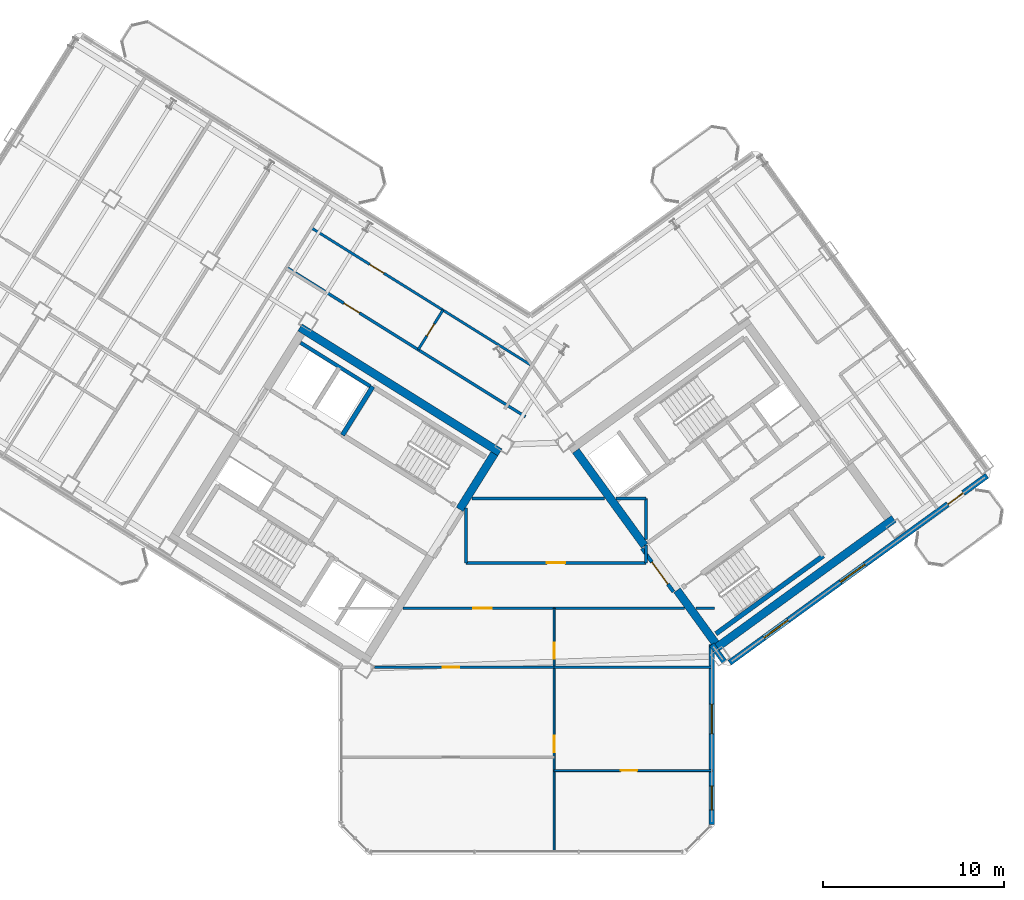
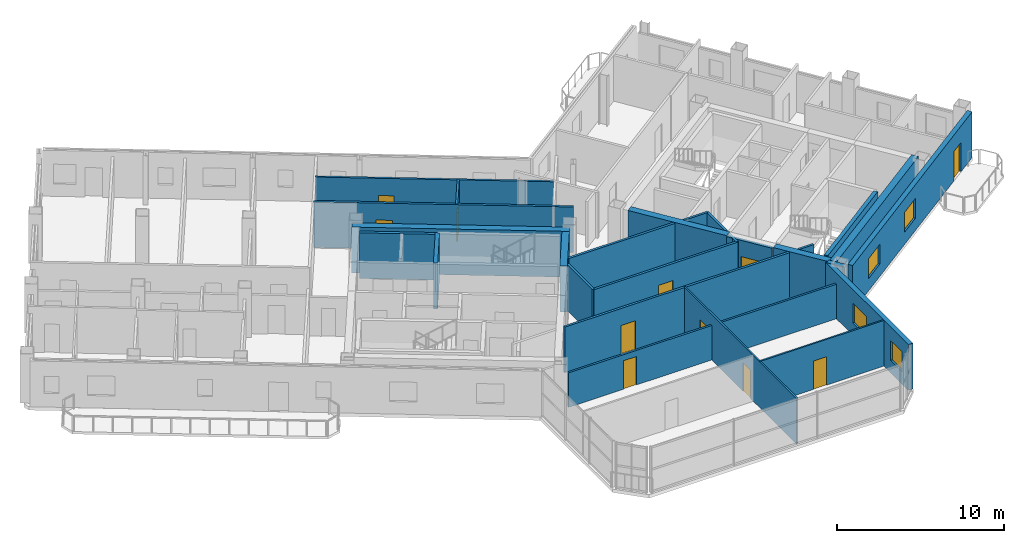
# One storey, part 13 of 21: 27 walls, 11 doors, 4 windows, 15 openings.
"""IFC4 building model written with IfcOpenShell, lengths in metres."""

from ifc_helpers import new_model, si_unit, direction, frame, frame_2d, origin, place, context, subcontext, project, spatial, rectangle, extrude, source, transform, mapped, material, layer, layer_set, type_object, element, fill, save


model = new_model("IFC4")

# Units and contexts
model_context = context("Model", 3, precision=1e-05, world=origin(), true_north=direction((0.0, 1.0)))
body_context = subcontext(model_context, "Body", "Model", "MODEL_VIEW")
ifc_project = project(units=[si_unit("LENGTHUNIT", "METRE"), si_unit("AREAUNIT", "SQUARE_METRE"), si_unit("VOLUMEUNIT", "CUBIC_METRE"), si_unit("PLANEANGLEUNIT", "RADIAN"), si_unit("MASSUNIT", "GRAM", prefix="KILO")], contexts=[model_context])

# Site, building, storey
site_placement = place(None, origin())
site = spatial("IfcSite", under=ifc_project, at=site_placement, CompositionType="ELEMENT")
building_placement = place(site_placement, origin())
building = spatial("IfcBuilding", under=site, at=building_placement, Name="Tlacorven Tower", CompositionType="ELEMENT")
storey_placement = place(building_placement, frame((0.0, 0.0, 207.60009765625)))
storey = spatial("IfcBuildingStorey", under=building, at=storey_placement, Name="L52", CompositionType="ELEMENT", Elevation=207.60009765625)

# Walls
ifc_material_1 = material(Name="Concrete C50/60", Category="concrete")
ifc_layer_1 = layer(ifc_material_1, 0.449951171875)
ifc_layer_set_1 = layer_set([ifc_layer_1], Name="Concrete C50/60")
wall_type_1 = type_object("IfcWallType", Name="WL-COR-450", PredefinedType="SHEAR", material=ifc_layer_set_1)
wall_1_placement = place(storey_placement, frame((40.53076171875, 24.036376953125, 0.0), z_axis=(0.0, 0.0, 1.0), x_axis=(-0.848048787466, 0.529918157905, 0.0)))
element("IfcWall", 1, at=wall_1_placement, inside=storey, type_object=wall_type_1, Name="L52 W core shear wall S1", PredefinedType="SHEAR", context=body_context, shape_type="SweptSolid", body=[
    extrude(rectangle(XDim=13.0400390625, YDim=0.449951171875, at=frame_2d((6.52001953125, 0.0))), origin(), (0.0, 0.0, 1.0), 3.349853515625),
])
wall_2_placement = place(storey_placement, frame((40.220703125, 23.96484375, 0.0), z_axis=(0.0, 0.0, 1.0), x_axis=(-0.529902075036, -0.848058836916, 0.0)))
element("IfcWall", 2, at=wall_2_placement, inside=storey, type_object=wall_type_1, Name="L52 W core end wall E1.1", PredefinedType="SHEAR", context=body_context, shape_type="SweptSolid", body=[
    extrude(rectangle(XDim=3.625, YDim=0.449951171875, at=frame_2d((1.8125, 0.0))), origin(), (0.0, 0.0, 1.0), 3.349853515625),
])
wall_3_placement = place(storey_placement, frame((52.3994140625, 13.169189453125, 0.0), z_axis=(0.0, 0.0, 1.0), x_axis=(0.809022352778, 0.587777877013, 0.0)))
element("IfcWall", 3, at=wall_3_placement, inside=storey, type_object=wall_type_1, Name="L52 E core shear wall S1", PredefinedType="SHEAR", context=body_context, shape_type="SweptSolid", body=[
    extrude(rectangle(XDim=12.239990234375, YDim=0.449951171875, at=frame_2d((6.1201171875, 0.0))), origin(), (0.0, 0.0, 1.0), 3.349853515625),
])
wall_4_placement = place(storey_placement, frame((52.44921875, 13.4833984375, 0.0), z_axis=(0.0, 0.0, 1.0), x_axis=(-0.587819244441, 0.808992296542, 0.0)))
element("IfcWall", 4, at=wall_4_placement, inside=storey, type_object=wall_type_1, Name="L52 E core end wall E1.1", PredefinedType="SHEAR", context=body_context, shape_type="SweptSolid", body=[
    extrude(rectangle(XDim=3.625, YDim=0.449951171875, at=frame_2d((1.8125, 0.0))), origin(), (0.0, 0.0, 1.0), 3.349853515625),
])
wall_5_placement = place(storey_placement, frame((48.525634765625, 18.883544921875, 0.0), z_axis=(0.0, 0.0, 1.0), x_axis=(-0.587774812919, 0.809024578921, 0.0)))
element("IfcWall", 5, at=wall_5_placement, inside=storey, type_object=wall_type_1, Name="L52 E core end wall E1.2", PredefinedType="SHEAR", context=body_context, shape_type="SweptSolid", body=[
    extrude(rectangle(XDim=6.47509765625, YDim=0.449951171875, at=frame_2d((3.237548828125, 0.0))), origin(), (0.0, 0.0, 1.0), 3.349853515625),
])

# Wall, opening, door
ifc_material_2 = material(Name="Gypsum plasterboard acoustic partition", Category="gypsum")
ifc_layer_2 = layer(ifc_material_2, 0.159912109375)
ifc_layer_set_2 = layer_set([ifc_layer_2], Name="Gypsum plasterboard acoustic partition")
wall_type_2 = type_object("IfcWallType", Name="WL-DEM-160", PredefinedType="PARTITIONING", material=ifc_layer_set_2)
wall_6_placement = place(storey_placement, frame((41.93603515625, 26.011962890625, 0.0), z_axis=(0.0, 0.0, 1.0), x_axis=(-0.848051154596, 0.529914369676, 0.0)))
wall_6 = element("IfcWall", 6, at=wall_6_placement, inside=storey, type_object=wall_type_2, Name="L52 partition 58", PredefinedType="PARTITIONING", context=body_context, shape_type="SweptSolid", body=[
    extrude(rectangle(XDim=15.56982421875, YDim=0.159912109375, at=frame_2d((7.784912109375, 0.0))), origin(), (0.0, 0.0, 1.0), 3.33984375),
])
opening_1_placement = place(wall_6_placement, frame((10.830078125, 0.0, 0.0)))
opening_1 = element("IfcOpeningElement", 7, at=opening_1_placement, cuts=wall_6, Name="Opening D11", PredefinedType="OPENING", context=body_context, shape_type="SweptSolid", body=[
    extrude(rectangle(XDim=1.0, YDim=2.10009765625, at=frame_2d((0.5, 1.050048828125))), frame((0.0, 0.08984375, 0.0), z_axis=(0.0, -1.0, 0.0), x_axis=(1.0, 0.0, 0.0)), (0.0, 0.0, 1.0), 0.179931640625),
])
ifc_material_3 = material(Name="Fire-rated steel door assembly", Category="steel")
door_type_1 = type_object("IfcDoorType", Name="DR-FLT-FD60-1000", OperationType="NOTDEFINED", PredefinedType="DOOR", material=ifc_material_3)
shared_shape_1 = source(origin(), body_context, "Body", "SweptSolid", [
    extrude(rectangle(XDim=1.0, YDim=2.10009765625, at=frame_2d((0.5, 1.050048828125))), frame((0.0, 0.02490234375, 0.0), z_axis=(0.0, -1.0, 0.0), x_axis=(1.0, 0.0, 0.0)), (0.0, 0.0, 1.0), 0.050048828125),
])
door_1_placement = place(opening_1_placement, origin())
door_1 = element("IfcDoor", 8, at=door_1_placement, inside=storey, type_object=door_type_1, Name="L52 door 038", OperationType="SINGLE_SWING_LEFT", OverallHeight=2.10009765625, OverallWidth=1.0, PredefinedType="DOOR", context=body_context, shape_type="MappedRepresentation", body=[
    mapped(shared_shape_1, transform((0.0, 0.0, 0.0), scale=1.0)),
])
fill(opening_1, door_1)

wall_7_placement = place(storey_placement, frame((35.178466796875, 15.419921875, 0.0), z_axis=(0.0, 0.0, 1.0), x_axis=(1.0, 0.0, 0.0)))
wall_7 = element("IfcWall", 9, at=wall_7_placement, inside=storey, type_object=wall_type_2, Name="L52 Knuckle Corridor South Wall", PredefinedType="PARTITIONING", context=body_context, shape_type="SweptSolid", body=[
    extrude(rectangle(XDim=15.55224609375, YDim=0.159912109375, at=frame_2d((7.776123046875, 0.0))), origin(), (0.0, 0.0, 1.0), 3.33984375),
])
opening_2_placement = place(wall_7_placement, frame((3.884521484375, 0.0, 0.0)))
opening_2 = element("IfcOpeningElement", 10, at=opening_2_placement, cuts=wall_7, Name="Opening D11", PredefinedType="OPENING", context=body_context, shape_type="SweptSolid", body=[
    extrude(rectangle(XDim=1.0, YDim=2.10009765625, at=frame_2d((0.5, 1.050048828125))), frame((0.0, 0.08984375, 0.0), z_axis=(0.0, -1.0, 0.0), x_axis=(1.0, 0.0, 0.0)), (0.0, 0.0, 1.0), 0.179931640625),
])
door_2_placement = place(opening_2_placement, frame((1.0, 0.0, 0.0), z_axis=(0.0, 0.0, 1.0), x_axis=(-1.0, 0.0, 0.0)))
door_2 = element("IfcDoor", 11, at=door_2_placement, inside=storey, type_object=door_type_1, Name="L52 door 047", OperationType="SINGLE_SWING_RIGHT", OverallHeight=2.10009765625, OverallWidth=1.0, PredefinedType="DOOR", context=body_context, shape_type="MappedRepresentation", body=[
    mapped(shared_shape_1, transform((0.0, 0.0, 0.0), scale=1.0)),
])
fill(opening_2, door_2)

# Wall
wall_8_placement = place(storey_placement, frame((51.353515625, 15.419921875, 0.0), z_axis=(0.0, 0.0, 1.0), x_axis=(1.0, 0.0, 0.0)))
element("IfcWall", 12, at=wall_8_placement, inside=storey, type_object=wall_type_2, Name="L52 Knuckle Corridor South Wall", PredefinedType="PARTITIONING", context=body_context, shape_type="SweptSolid", body=[
    extrude(rectangle(XDim=1.04638671875, YDim=0.159912109375, at=frame_2d((0.523193359375, 0.0))), origin(), (0.0, 0.0, 1.0), 3.33984375),
])

# Wall, opening, door
wall_9_placement = place(storey_placement, frame((38.64990234375, 17.929931640625, 0.0), z_axis=(0.0, 0.0, 1.0), x_axis=(1.0, 0.0, 0.0)))
wall_9 = element("IfcWall", 13, at=wall_9_placement, inside=storey, type_object=wall_type_2, Name="L52 partition 64", PredefinedType="PARTITIONING", context=body_context, shape_type="SweptSolid", body=[
    extrude(rectangle(XDim=9.9501953125, YDim=0.159912109375, at=frame_2d((4.97509765625, 0.0))), origin(), (0.0, 0.0, 1.0), 3.33984375),
])
opening_3_placement = place(wall_9_placement, frame((4.47509765625, 0.0, 0.0)))
opening_3 = element("IfcOpeningElement", 14, at=opening_3_placement, cuts=wall_9, Name="Opening D11", PredefinedType="OPENING", context=body_context, shape_type="SweptSolid", body=[
    extrude(rectangle(XDim=1.0, YDim=2.10009765625, at=frame_2d((0.5, 1.050048828125))), frame((0.0, 0.08984375, 0.0), z_axis=(0.0, -1.0, 0.0), x_axis=(1.0, 0.0, 0.0)), (0.0, 0.0, 1.0), 0.179931640625),
])
door_3_placement = place(opening_3_placement, origin())
door_3 = element("IfcDoor", 15, at=door_3_placement, inside=storey, type_object=door_type_1, Name="L52 door 041", OperationType="SINGLE_SWING_RIGHT", OverallHeight=2.10009765625, OverallWidth=1.0, PredefinedType="DOOR", context=body_context, shape_type="MappedRepresentation", body=[
    mapped(shared_shape_1, transform((0.0, 0.0, 0.0), scale=1.0)),
])
fill(opening_3, door_3)

# Walls
wall_10_placement = place(storey_placement, frame((38.64990234375, 17.929931640625, 0.0), z_axis=(0.0, 0.0, 1.0), x_axis=(0.0, 1.0, 0.0)))
element("IfcWall", 16, at=wall_10_placement, inside=storey, type_object=wall_type_2, Name="L52 partition 65", PredefinedType="PARTITIONING", context=body_context, shape_type="SweptSolid", body=[
    extrude(rectangle(XDim=3.045654296875, YDim=0.159912109375, at=frame_2d((1.52294921875, 0.0))), origin(), (0.0, 0.0, 1.0), 3.33984375),
])
wall_11_placement = place(storey_placement, frame((48.60009765625, 17.929931640625, 0.0), z_axis=(0.0, 0.0, 1.0), x_axis=(0.0, 1.0, 0.0)))
element("IfcWall", 17, at=wall_11_placement, inside=storey, type_object=wall_type_2, Name="L52 partition 66", PredefinedType="PARTITIONING", context=body_context, shape_type="SweptSolid", body=[
    extrude(rectangle(XDim=0.99267578125, YDim=0.159912109375, at=frame_2d((0.496337890625, 0.0))), origin(), (0.0, 0.0, 1.0), 3.33984375),
])
wall_12_placement = place(storey_placement, frame((48.60009765625, 19.2099609375, 0.0), z_axis=(0.0, 0.0, 1.0), x_axis=(0.0, 1.0, 0.0)))
element("IfcWall", 18, at=wall_12_placement, inside=storey, type_object=wall_type_2, Name="L52 partition 66", PredefinedType="PARTITIONING", context=body_context, shape_type="SweptSolid", body=[
    extrude(rectangle(XDim=2.2900390625, YDim=0.159912109375, at=frame_2d((1.14501953125, 0.0))), origin(), (0.0, 0.0, 1.0), 3.33984375),
])
wall_13_placement = place(storey_placement, frame((38.9775390625, 21.5, 0.0), z_axis=(0.0, 0.0, 1.0), x_axis=(1.0, 0.0, 0.0)))
element("IfcWall", 19, at=wall_13_placement, inside=storey, type_object=wall_type_2, Name="L52 partition 67", PredefinedType="PARTITIONING", context=body_context, shape_type="SweptSolid", body=[
    extrude(rectangle(XDim=7.335693359375, YDim=0.159912109375, at=frame_2d((3.66796875, 0.0))), origin(), (0.0, 0.0, 1.0), 3.33984375),
])
wall_14_placement = place(storey_placement, frame((46.936279296875, 21.5, 0.0), z_axis=(0.0, 0.0, 1.0), x_axis=(1.0, 0.0, 0.0)))
element("IfcWall", 20, at=wall_14_placement, inside=storey, type_object=wall_type_2, Name="L52 partition 67", PredefinedType="PARTITIONING", context=body_context, shape_type="SweptSolid", body=[
    extrude(rectangle(XDim=1.663818359375, YDim=0.159912109375, at=frame_2d((0.83203125, 0.0))), origin(), (0.0, 0.0, 1.0), 3.33984375),
])

# Wall, openings, door, windows
ifc_material_4 = material(Name="Precast concrete C45/55", Category="concrete")
ifc_layer_3 = layer(ifc_material_4, 0.320068359375)
ifc_layer_set_3 = layer_set([ifc_layer_3], Name="Precast concrete C45/55")
wall_type_3 = type_object("IfcWallType", Name="WL-EXT-320", PredefinedType="STANDARD", material=ifc_layer_set_3)
wall_15_placement = place(storey_placement, frame((67.45361328125, 22.746826171875, 0.0), z_axis=(0.0, 0.0, 1.0), x_axis=(-0.809021120468, -0.587779573171, 0.0)))
wall_15 = element("IfcWall", 21, at=wall_15_placement, inside=storey, type_object=wall_type_3, Name="L52 Masonry-Frame Recessed Facade Wall 6", PredefinedType="STANDARD", context=body_context, shape_type="SweptSolid", body=[
    extrude(rectangle(XDim=17.587646484375, YDim=0.320068359375, at=frame_2d((8.7939453125, 0.0))), origin(), (0.0, 0.0, 1.0), 3.349853515625),
])
opening_4_placement = place(wall_15_placement, frame((1.623779296875, 0.0, 0.0)))
opening_4 = element("IfcOpeningElement", 22, at=opening_4_placement, cuts=wall_15, Name="Opening D06", PredefinedType="OPENING", context=body_context, shape_type="SweptSolid", body=[
    extrude(rectangle(XDim=1.050048828125, YDim=2.14990234375, at=frame_2d((0.52490234375, 1.074951171875))), frame((0.0, 0.169921875, 0.0), z_axis=(0.0, -1.0, 0.0), x_axis=(1.0, 0.0, 0.0)), (0.0, 0.0, 1.0), 0.340087890625),
])
opening_5_placement = place(wall_15_placement, frame((8.34375, 0.0, 0.89990234375)))
opening_5 = element("IfcOpeningElement", 23, at=opening_5_placement, cuts=wall_15, Name="Opening WN07", PredefinedType="OPENING", context=body_context, shape_type="SweptSolid", body=[
    extrude(rectangle(XDim=1.64990234375, YDim=1.449951171875, at=frame_2d((0.824951171875, 0.72509765625))), frame((0.0, 0.169921875, 0.0), z_axis=(0.0, -1.0, 0.0), x_axis=(1.0, 0.0, 0.0)), (0.0, 0.0, 1.0), 0.340087890625),
])
opening_6_placement = place(wall_15_placement, frame((13.59375, 0.0, 0.89990234375)))
opening_6 = element("IfcOpeningElement", 24, at=opening_6_placement, cuts=wall_15, Name="Opening WN07", PredefinedType="OPENING", context=body_context, shape_type="SweptSolid", body=[
    extrude(rectangle(XDim=1.64990234375, YDim=1.449951171875, at=frame_2d((0.824951171875, 0.72509765625))), frame((0.0, 0.169921875, 0.0), z_axis=(0.0, -1.0, 0.0), x_axis=(1.0, 0.0, 0.0)), (0.0, 0.0, 1.0), 0.340087890625),
])
ifc_material_5 = material(Name="Powder-coated aluminium and timber door", Category="wood")
door_type_2 = type_object("IfcDoorType", Name="DR-EXT-BALC-1050", OperationType="NOTDEFINED", PredefinedType="DOOR", material=ifc_material_5)
shared_shape_2 = source(origin(), body_context, "Body", "SweptSolid", [
    extrude(rectangle(XDim=1.050048828125, YDim=2.14990234375, at=frame_2d((0.52490234375, 1.074951171875))), frame((0.0, 0.02490234375, 0.0), z_axis=(0.0, -1.0, 0.0), x_axis=(1.0, 0.0, 0.0)), (0.0, 0.0, 1.0), 0.050048828125),
])
door_4_placement = place(opening_4_placement, origin())
door_4 = element("IfcDoor", 25, at=door_4_placement, inside=storey, type_object=door_type_2, Name="L52 Outdoor Access Door BAL-L52-E-OUT", OperationType="SINGLE_SWING_LEFT", OverallHeight=2.14990234375, OverallWidth=1.050048828125, PredefinedType="DOOR", context=body_context, shape_type="MappedRepresentation", body=[
    mapped(shared_shape_2, transform((0.0, 0.0, 0.0), scale=1.0)),
])
fill(opening_4, door_4)
ifc_material_6 = material(Name="Dark solar low-E double glazing in anodised aluminium frame", Category="aluminium")
window_type_1 = type_object("IfcWindowType", Name="WN-APT-1650X1600", PartitioningType="SINGLE_PANEL", PredefinedType="WINDOW", material=ifc_material_6)
shared_shape_3 = source(origin(), body_context, "Body", "SweptSolid", [
    extrude(rectangle(XDim=1.64990234375, YDim=1.449951171875, at=frame_2d((0.824951171875, 0.72509765625))), frame((0.0, 0.030029296875, 0.0), z_axis=(0.0, -1.0, 0.0), x_axis=(1.0, 0.0, 0.0)), (0.0, 0.0, 1.0), 0.06005859375),
])
window_1_placement = place(opening_5_placement, origin())
window_1 = element("IfcWindow", 26, at=window_1_placement, inside=storey, type_object=window_type_1, Name="L52 Recessed Masonry-Frame Window L52-06.1", OverallHeight=1.449951171875, OverallWidth=1.64990234375, PartitioningType="SINGLE_PANEL", PredefinedType="WINDOW", context=body_context, shape_type="MappedRepresentation", body=[
    mapped(shared_shape_3, transform((0.0, 0.0, 0.0), scale=1.0)),
])
fill(opening_5, window_1)
window_2_placement = place(opening_6_placement, origin())
window_2 = element("IfcWindow", 27, at=window_2_placement, inside=storey, type_object=window_type_1, Name="L52 Recessed Masonry-Frame Window L52-06.2", OverallHeight=1.449951171875, OverallWidth=1.64990234375, PartitioningType="SINGLE_PANEL", PredefinedType="WINDOW", context=body_context, shape_type="MappedRepresentation", body=[
    mapped(shared_shape_3, transform((0.0, 0.0, 0.0), scale=1.0)),
])
fill(opening_6, window_2)

# Wall
wall_16_placement = place(storey_placement, frame((52.936767578125, 12.454833984375, 0.0), z_axis=(0.0, 0.0, 1.0), x_axis=(-0.587706324018, 0.809074333241, 0.0)))
element("IfcWall", 28, at=wall_16_placement, inside=storey, type_object=wall_type_3, Name="L52 Masonry-Frame Recessed Facade Wall 7", PredefinedType="STANDARD", context=body_context, shape_type="SweptSolid", body=[
    extrude(rectangle(XDim=1.185546875, YDim=0.320068359375, at=frame_2d((0.5927734375, 0.0))), origin(), (0.0, 0.0, 1.0), 3.349853515625),
])

# Wall, openings, windows
wall_17_placement = place(storey_placement, frame((52.239990234375, 13.4140625, 0.0), z_axis=(0.0, 0.0, 1.0), x_axis=(0.0, -1.0, 0.0)))
wall_17 = element("IfcWall", 29, at=wall_17_placement, inside=storey, type_object=wall_type_3, Name="L52 Masonry-Frame Recessed Facade Wall 8", PredefinedType="STANDARD", context=body_context, shape_type="SweptSolid", body=[
    extrude(rectangle(XDim=9.94775390625, YDim=0.320068359375, at=frame_2d((4.973876953125, 0.0))), origin(), (0.0, 0.0, 1.0), 3.349853515625),
])
opening_7_placement = place(wall_17_placement, frame((3.28662109375, 0.0, 0.89990234375)))
opening_7 = element("IfcOpeningElement", 30, at=opening_7_placement, cuts=wall_17, Name="Opening WN07", PredefinedType="OPENING", context=body_context, shape_type="SweptSolid", body=[
    extrude(rectangle(XDim=1.64990234375, YDim=1.449951171875, at=frame_2d((0.824951171875, 0.72509765625))), frame((0.0, 0.169921875, 0.0), z_axis=(0.0, -1.0, 0.0), x_axis=(1.0, 0.0, 0.0)), (0.0, 0.0, 1.0), 0.340087890625),
])
opening_8_placement = place(wall_17_placement, frame((7.808349609375, 0.0, 0.89990234375)))
opening_8 = element("IfcOpeningElement", 31, at=opening_8_placement, cuts=wall_17, Name="Opening WN08", PredefinedType="OPENING", context=body_context, shape_type="SweptSolid", body=[
    extrude(rectangle(XDim=1.35009765625, YDim=1.449951171875, at=frame_2d((0.675048828125, 0.72509765625))), frame((0.0, 0.169921875, 0.0), z_axis=(0.0, -1.0, 0.0), x_axis=(1.0, 0.0, 0.0)), (0.0, 0.0, 1.0), 0.340087890625),
])
window_3_placement = place(opening_7_placement, origin())
window_3 = element("IfcWindow", 32, at=window_3_placement, inside=storey, type_object=window_type_1, Name="L52 Recessed Masonry-Frame Window L52-08.1", OverallHeight=1.449951171875, OverallWidth=1.64990234375, PartitioningType="SINGLE_PANEL", PredefinedType="WINDOW", context=body_context, shape_type="MappedRepresentation", body=[
    mapped(shared_shape_3, transform((0.0, 0.0, 0.0), scale=1.0)),
])
fill(opening_7, window_3)
window_type_2 = type_object("IfcWindowType", Name="WN-APT-1350X1550", PartitioningType="SINGLE_PANEL", PredefinedType="WINDOW", material=ifc_material_6)
shared_shape_4 = source(origin(), body_context, "Body", "SweptSolid", [
    extrude(rectangle(XDim=1.35009765625, YDim=1.449951171875, at=frame_2d((0.675048828125, 0.72509765625))), frame((0.0, 0.030029296875, 0.0), z_axis=(0.0, -1.0, 0.0), x_axis=(1.0, 0.0, 0.0)), (0.0, 0.0, 1.0), 0.06005859375),
])
window_4_placement = place(opening_8_placement, origin())
window_4 = element("IfcWindow", 33, at=window_4_placement, inside=storey, type_object=window_type_2, Name="L52 Recessed Masonry-Frame Window L52-08.2", OverallHeight=1.449951171875, OverallWidth=1.35009765625, PartitioningType="SINGLE_PANEL", PredefinedType="WINDOW", context=body_context, shape_type="MappedRepresentation", body=[
    mapped(shared_shape_4, transform((0.0, 0.0, 0.0), scale=1.0)),
])
fill(opening_8, window_4)

# Wall, openings, doors
ifc_material_7 = material(Name="Gypsum plasterboard partition", Category="gypsum")
ifc_layer_4 = layer(ifc_material_7, 0.110107421875)
ifc_layer_set_4 = layer_set([ifc_layer_4], Name="Gypsum plasterboard partition")
wall_type_4 = type_object("IfcWallType", Name="WL-INT-110", PredefinedType="PARTITIONING", material=ifc_layer_set_4)
wall_18_placement = place(storey_placement, frame((43.52587890625, 1.9599609375, 0.0), z_axis=(0.0, 0.0, 1.0), x_axis=(0.0, 1.0, 0.0)))
wall_18 = element("IfcWall", 34, at=wall_18_placement, inside=storey, type_object=wall_type_4, Name="L52 partition 69", PredefinedType="PARTITIONING", context=body_context, shape_type="SweptSolid", body=[
    extrude(rectangle(XDim=13.4599609375, YDim=0.110107421875, at=frame_2d((6.72998046875, 0.0))), origin(), (0.0, 0.0, 1.0), 3.33984375),
])
opening_9_placement = place(wall_18_placement, frame((5.5, 0.0, 0.0)))
opening_9 = element("IfcOpeningElement", 35, at=opening_9_placement, cuts=wall_18, Name="Opening D12", PredefinedType="OPENING", context=body_context, shape_type="SweptSolid", body=[
    extrude(rectangle(XDim=0.919921875, YDim=2.080078125, at=frame_2d((0.4599609375, 1.0400390625))), frame((0.0, 0.06494140625, 0.0), z_axis=(0.0, -1.0, 0.0), x_axis=(1.0, 0.0, 0.0)), (0.0, 0.0, 1.0), 0.130126953125),
])
opening_10_placement = place(wall_18_placement, frame((10.669921875, 0.0, 0.0)))
opening_10 = element("IfcOpeningElement", 36, at=opening_10_placement, cuts=wall_18, Name="Opening D13", PredefinedType="OPENING", context=body_context, shape_type="SweptSolid", body=[
    extrude(rectangle(XDim=0.8798828125, YDim=2.080078125, at=frame_2d((0.43994140625, 1.0400390625))), frame((0.0, 0.06494140625, 0.0), z_axis=(0.0, -1.0, 0.0), x_axis=(1.0, 0.0, 0.0)), (0.0, 0.0, 1.0), 0.130126953125),
])
door_type_3 = type_object("IfcDoorType", Name="DR-INT-WET-0880", OperationType="NOTDEFINED", PredefinedType="DOOR", material=ifc_material_5)
shared_shape_5 = source(origin(), body_context, "Body", "SweptSolid", [
    extrude(rectangle(XDim=0.8798828125, YDim=2.080078125, at=frame_2d((0.43994140625, 1.0400390625))), frame((0.0, 0.02490234375, 0.0), z_axis=(0.0, -1.0, 0.0), x_axis=(1.0, 0.0, 0.0)), (0.0, 0.0, 1.0), 0.050048828125),
])
door_5_placement = place(opening_10_placement, origin())
door_5 = element("IfcDoor", 37, at=door_5_placement, inside=storey, type_object=door_type_3, Name="L52 door 049", OperationType="SINGLE_SWING_RIGHT", OverallHeight=2.080078125, OverallWidth=0.8798828125, PredefinedType="DOOR", context=body_context, shape_type="MappedRepresentation", body=[
    mapped(shared_shape_5, transform((0.0, 0.0, 0.0), scale=1.0)),
])
fill(opening_10, door_5)
door_type_4 = type_object("IfcDoorType", Name="DR-INT-ROOM-0920", OperationType="NOTDEFINED", PredefinedType="DOOR", material=ifc_material_5)
shared_shape_6 = source(origin(), body_context, "Body", "SweptSolid", [
    extrude(rectangle(XDim=0.919921875, YDim=2.080078125, at=frame_2d((0.4599609375, 1.0400390625))), frame((0.0, 0.02490234375, 0.0), z_axis=(0.0, -1.0, 0.0), x_axis=(1.0, 0.0, 0.0)), (0.0, 0.0, 1.0), 0.050048828125),
])
door_6_placement = place(opening_9_placement, origin())
door_6 = element("IfcDoor", 38, at=door_6_placement, inside=storey, type_object=door_type_4, Name="L52 door 045", OperationType="SINGLE_SWING_RIGHT", OverallHeight=2.080078125, OverallWidth=0.919921875, PredefinedType="DOOR", context=body_context, shape_type="MappedRepresentation", body=[
    mapped(shared_shape_6, transform((0.0, 0.0, 0.0), scale=1.0)),
])
fill(opening_9, door_6)

# Wall, opening, door
wall_19_placement = place(storey_placement, frame((43.52587890625, 6.449951171875, 0.0), z_axis=(0.0, 0.0, 1.0), x_axis=(1.0, 0.0, 0.0)))
wall_19 = element("IfcWall", 39, at=wall_19_placement, inside=storey, type_object=wall_type_4, Name="L52 partition 73", PredefinedType="PARTITIONING", context=body_context, shape_type="SweptSolid", body=[
    extrude(rectangle(XDim=8.734130859375, YDim=0.110107421875, at=frame_2d((4.3671875, 0.0))), origin(), (0.0, 0.0, 1.0), 3.33984375),
])
opening_11_placement = place(wall_19_placement, frame((3.677001953125, 0.0, 0.0)))
opening_11 = element("IfcOpeningElement", 40, at=opening_11_placement, cuts=wall_19, Name="Opening D12", PredefinedType="OPENING", context=body_context, shape_type="SweptSolid", body=[
    extrude(rectangle(XDim=0.919921875, YDim=2.080078125, at=frame_2d((0.4599609375, 1.0400390625))), frame((0.0, 0.06494140625, 0.0), z_axis=(0.0, -1.0, 0.0), x_axis=(1.0, 0.0, 0.0)), (0.0, 0.0, 1.0), 0.130126953125),
])
door_7_placement = place(opening_11_placement, origin())
door_7 = element("IfcDoor", 41, at=door_7_placement, inside=storey, type_object=door_type_4, Name="L52 door 046", OperationType="SINGLE_SWING_LEFT", OverallHeight=2.080078125, OverallWidth=0.919921875, PredefinedType="DOOR", context=body_context, shape_type="MappedRepresentation", body=[
    mapped(shared_shape_6, transform((0.0, 0.0, 0.0), scale=1.0)),
])
fill(opening_11, door_7)

ifc_material_8 = material(Name="Moisture-resistant gypsum plumbing wall", Category="gypsum")
ifc_layer_5 = layer(ifc_material_8, 0.139892578125)
ifc_layer_set_5 = layer_set([ifc_layer_5], Name="Moisture-resistant gypsum plumbing wall")
wall_type_5 = type_object("IfcWallType", Name="WL-PLM-140", PredefinedType="PLUMBINGWALL", material=ifc_layer_set_5)
wall_20_placement = place(storey_placement, frame((42.226318359375, 28.872802734375, 0.0), z_axis=(0.0, 0.0, 1.0), x_axis=(-0.848049134363, 0.529917602752, 0.0)))
wall_20 = element("IfcWall", 42, at=wall_20_placement, inside=storey, type_object=wall_type_5, Name="L52 partition 60", PredefinedType="PLUMBINGWALL", context=body_context, shape_type="SweptSolid", body=[
    extrude(rectangle(XDim=14.300048828125, YDim=0.139892578125, at=frame_2d((7.14990234375, 0.0))), origin(), (0.0, 0.0, 1.0), 3.33984375),
])
opening_12_placement = place(wall_20_placement, frame((9.570068359375, 0.0, 0.0)))
opening_12 = element("IfcOpeningElement", 43, at=opening_12_placement, cuts=wall_20, Name="Opening D12", PredefinedType="OPENING", context=body_context, shape_type="SweptSolid", body=[
    extrude(rectangle(XDim=0.919921875, YDim=2.080078125, at=frame_2d((0.4599609375, 1.0400390625))), frame((0.0, 0.080078125, 0.0), z_axis=(0.0, -1.0, 0.0), x_axis=(1.0, 0.0, 0.0)), (0.0, 0.0, 1.0), 0.159912109375),
])
door_8_placement = place(opening_12_placement, origin())
door_8 = element("IfcDoor", 44, at=door_8_placement, inside=storey, type_object=door_type_4, Name="L52 door 039", OperationType="SINGLE_SWING_RIGHT", OverallHeight=2.080078125, OverallWidth=0.919921875, PredefinedType="DOOR", context=body_context, shape_type="MappedRepresentation", body=[
    mapped(shared_shape_6, transform((0.0, 0.0, 0.0), scale=1.0)),
])
fill(opening_12, door_8)

wall_21_placement = place(storey_placement, frame((37.37548828125, 31.904052734375, 0.0), z_axis=(0.0, 0.0, 1.0), x_axis=(-0.529913878929, -0.848051461244, 0.0)))
wall_21 = element("IfcWall", 45, at=wall_21_placement, inside=storey, type_object=wall_type_5, Name="L52 partition 61", PredefinedType="PLUMBINGWALL", context=body_context, shape_type="SweptSolid", body=[
    extrude(rectangle(XDim=2.580078125, YDim=0.139892578125, at=frame_2d((1.2900390625, 0.0))), origin(), (0.0, 0.0, 1.0), 3.33984375),
])
opening_13_placement = place(wall_21_placement, frame((0.89990234375, 0.0, 0.0)))
opening_13 = element("IfcOpeningElement", 46, at=opening_13_placement, cuts=wall_21, Name="Opening D22", PredefinedType="OPENING", context=body_context, shape_type="SweptSolid", body=[
    extrude(rectangle(XDim=0.780029296875, YDim=2.050048828125, at=frame_2d((0.39013671875, 1.02490234375))), frame((0.0, 0.080078125, 0.0), z_axis=(0.0, -1.0, 0.0), x_axis=(1.0, 0.0, 0.0)), (0.0, 0.0, 1.0), 0.159912109375),
])
door_type_5 = type_object("IfcDoorType", Name="DR-INT-WET-0780", OperationType="NOTDEFINED", PredefinedType="DOOR", material=ifc_material_5)
shared_shape_7 = source(origin(), body_context, "Body", "SweptSolid", [
    extrude(rectangle(XDim=0.780029296875, YDim=2.050048828125, at=frame_2d((0.39013671875, 1.02490234375))), frame((0.0, 0.02490234375, 0.0), z_axis=(0.0, -1.0, 0.0), x_axis=(1.0, 0.0, 0.0)), (0.0, 0.0, 1.0), 0.050048828125),
])
door_9_placement = place(opening_13_placement, origin())
door_9 = element("IfcDoor", 47, at=door_9_placement, inside=storey, type_object=door_type_5, Name="L52 door 040", OperationType="SINGLE_SWING_LEFT", OverallHeight=2.050048828125, OverallWidth=0.780029296875, PredefinedType="DOOR", context=body_context, shape_type="MappedRepresentation", body=[
    mapped(shared_shape_7, transform((0.0, 0.0, 0.0), scale=1.0)),
])
fill(opening_13, door_9)

wall_22_placement = place(storey_placement, frame((33.583984375, 12.169921875, 0.0), z_axis=(0.0, 0.0, 1.0), x_axis=(1.0, 0.0, 0.0)))
wall_22 = element("IfcWall", 48, at=wall_22_placement, inside=storey, type_object=wall_type_5, Name="L52 partition 70", PredefinedType="PLUMBINGWALL", context=body_context, shape_type="SweptSolid", body=[
    extrude(rectangle(XDim=9.94189453125, YDim=0.139892578125, at=frame_2d((4.970947265625, 0.0))), origin(), (0.0, 0.0, 1.0), 2.52490234375),
])
opening_14_placement = place(wall_22_placement, frame((3.76904296875, 0.0, 0.0)))
opening_14 = element("IfcOpeningElement", 49, at=opening_14_placement, cuts=wall_22, Name="Opening D12", PredefinedType="OPENING", context=body_context, shape_type="SweptSolid", body=[
    extrude(rectangle(XDim=0.919921875, YDim=2.080078125, at=frame_2d((0.4599609375, 1.0400390625))), frame((0.0, 0.080078125, 0.0), z_axis=(0.0, -1.0, 0.0), x_axis=(1.0, 0.0, 0.0)), (0.0, 0.0, 1.0), 0.159912109375),
])
door_10_placement = place(opening_14_placement, frame((0.919921875, 0.0, 0.0), z_axis=(0.0, 0.0, 1.0), x_axis=(-1.0, 0.0, 0.0)))
door_10 = element("IfcDoor", 50, at=door_10_placement, inside=storey, type_object=door_type_4, Name="L52 door 048", OperationType="SINGLE_SWING_LEFT", OverallHeight=2.080078125, OverallWidth=0.919921875, PredefinedType="DOOR", context=body_context, shape_type="MappedRepresentation", body=[
    mapped(shared_shape_6, transform((0.0, 0.0, 0.0), scale=1.0)),
])
fill(opening_14, door_10)

# Walls
wall_23_placement = place(storey_placement, frame((43.52587890625, 12.169921875, 0.0), z_axis=(0.0, 0.0, 1.0), x_axis=(1.0, 0.0, 0.0)))
element("IfcWall", 51, at=wall_23_placement, inside=storey, type_object=wall_type_5, Name="L52 partition 71", PredefinedType="PLUMBINGWALL", context=body_context, shape_type="SweptSolid", body=[
    extrude(rectangle(XDim=8.734130859375, YDim=0.139892578125, at=frame_2d((4.3671875, 0.0))), origin(), (0.0, 0.0, 1.0), 2.52490234375),
])
ifc_material_9 = material(Name="Concrete C40/50", Category="concrete")
ifc_layer_6 = layer(ifc_material_9, 0.199951171875)
ifc_layer_set_6 = layer_set([ifc_layer_6], Name="Concrete C40/50")
wall_type_6 = type_object("IfcWallType", Name="WL-SHF-200", PredefinedType="STANDARD", material=ifc_layer_set_6)
wall_24_placement = place(storey_placement, frame((33.362548828125, 27.690185546875, 0.0), z_axis=(0.0, 0.0, 1.0), x_axis=(-0.84804957148, 0.529916903215, 0.0)))
element("IfcWall", 52, at=wall_24_placement, inside=storey, type_object=wall_type_6, Name="L52 partition 14", PredefinedType="STANDARD", context=body_context, shape_type="SweptSolid", body=[
    extrude(rectangle(XDim=4.547607421875, YDim=0.199951171875, at=frame_2d((2.27392578125, 0.0))), origin(), (0.0, 0.0, 1.0), 3.33984375),
])

# Wall, opening, door
wall_25_placement = place(storey_placement, frame((50.119140625, 16.3330078125, 0.0), z_axis=(0.0, 0.0, 1.0), x_axis=(-0.587749856981, 0.809042709391, 0.0)))
wall_25 = element("IfcWall", 53, at=wall_25_placement, inside=storey, type_object=wall_type_6, Name="L52 partition 68", PredefinedType="STANDARD", context=body_context, shape_type="SweptSolid", body=[
    extrude(rectangle(XDim=2.9599609375, YDim=0.199951171875, at=frame_2d((1.47998046875, 0.0))), origin(), (0.0, 0.0, 1.0), 3.33984375),
])
opening_15_placement = place(wall_25_placement, frame((0.530029296875, 0.0, 0.0)))
opening_15 = element("IfcOpeningElement", 54, at=opening_15_placement, cuts=wall_25, Name="Opening D10", PredefinedType="OPENING", context=body_context, shape_type="SweptSolid", body=[
    extrude(rectangle(XDim=1.5, YDim=2.14990234375, at=frame_2d((0.75, 1.074951171875))), frame((0.0, 0.10986328125, 0.0), z_axis=(0.0, -1.0, 0.0), x_axis=(1.0, 0.0, 0.0)), (0.0, 0.0, 1.0), 0.219970703125),
])
door_type_6 = type_object("IfcDoorType", Name="DR-LOB-FD60-1500", OperationType="DOUBLE_DOOR_SINGLE_SWING", PredefinedType="DOOR", material=ifc_material_3)
shared_shape_8 = source(origin(), body_context, "Body", "SweptSolid", [
    extrude(rectangle(XDim=1.5, YDim=2.14990234375, at=frame_2d((0.75, 1.074951171875))), frame((0.0, 0.02490234375, 0.0), z_axis=(0.0, -1.0, 0.0), x_axis=(1.0, 0.0, 0.0)), (0.0, 0.0, 1.0), 0.050048828125),
])
door_11_placement = place(opening_15_placement, frame((1.5, 0.0, 0.0), z_axis=(0.0, 0.0, 1.0), x_axis=(-1.0, 0.0, 0.0)))
door_11 = element("IfcDoor", 55, at=door_11_placement, inside=storey, type_object=door_type_6, Name="L52 door 043", OperationType="DOUBLE_DOOR_SINGLE_SWING", OverallHeight=2.14990234375, OverallWidth=1.5, PredefinedType="DOOR", context=body_context, shape_type="MappedRepresentation", body=[
    mapped(shared_shape_8, transform((0.0, 0.0, 0.0), scale=1.0)),
])
fill(opening_15, door_11)

# Walls
ifc_layer_7 = layer(ifc_material_1, 0.260009765625)
ifc_layer_set_7 = layer_set([ifc_layer_7], Name="Concrete C50/60")
wall_type_7 = type_object("IfcWallType", Name="WL-STW-260", PredefinedType="SHEAR", material=ifc_layer_set_7)
wall_26_placement = place(storey_placement, frame((33.496337890625, 27.677490234375, 0.0), z_axis=(0.0, 0.0, 1.0), x_axis=(-0.529908658664, -0.84805472316, 0.0)))
element("IfcWall", 56, at=wall_26_placement, inside=storey, type_object=wall_type_7, Name="L52 Stair W2 East Shear Wall", PredefinedType="SHEAR", context=body_context, shape_type="SweptSolid", body=[
    extrude(rectangle(XDim=3.16015625, YDim=0.260009765625, at=frame_2d((1.580078125, 0.0))), origin(), (0.0, 0.0, 1.0), 3.349853515625),
])
wall_27_placement = place(storey_placement, frame((52.47216796875, 14.01318359375, 0.0), z_axis=(0.0, 0.0, 1.0), x_axis=(0.809028366311, 0.587769599847, 0.0)))
element("IfcWall", 57, at=wall_27_placement, inside=storey, type_object=wall_type_7, Name="L52 Stair E2 Far Shear Wall", PredefinedType="SHEAR", context=body_context, shape_type="SweptSolid", body=[
    extrude(rectangle(XDim=7.330078125, YDim=0.260009765625, at=frame_2d((3.6650390625, 0.0))), origin(), (0.0, 0.0, 1.0), 3.349853515625),
])

save(model, "model.ifc")
